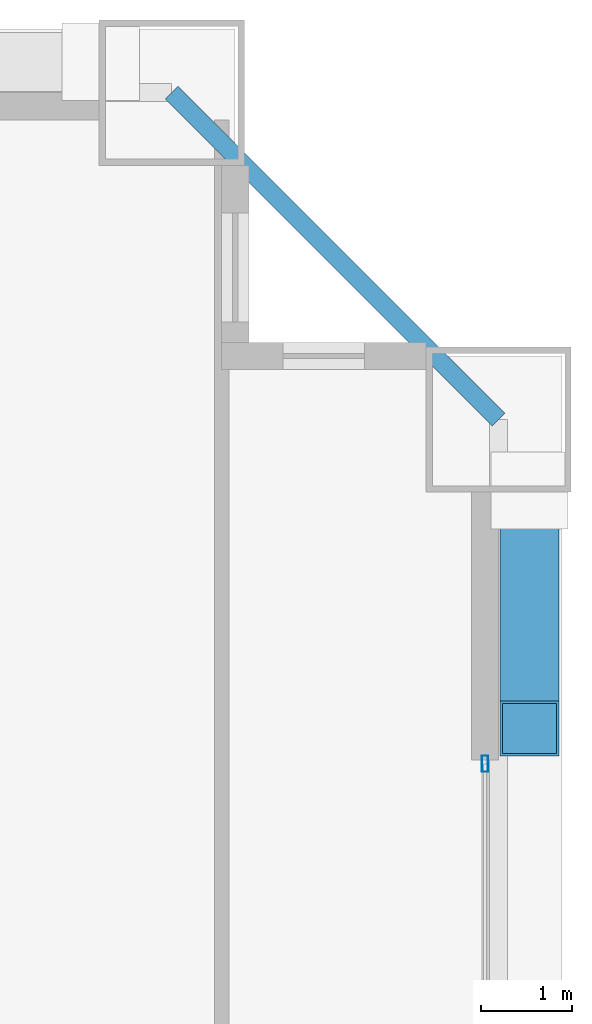
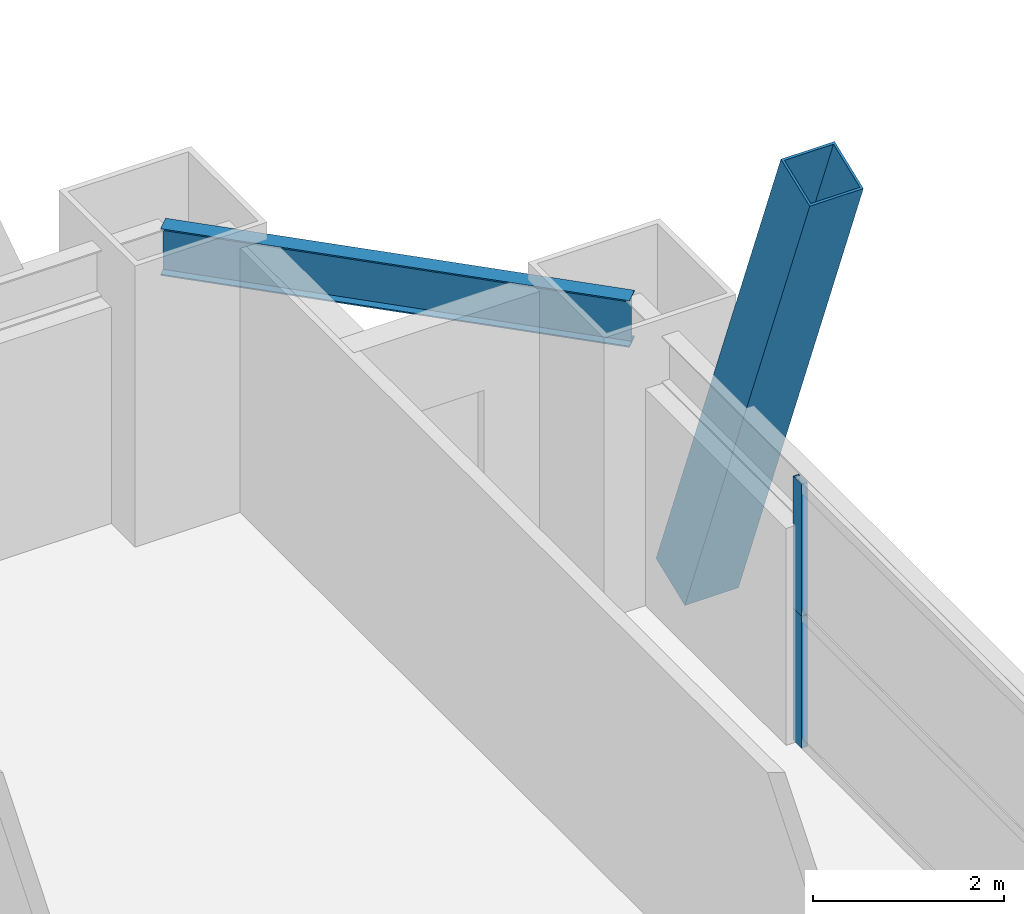
# One storey, part 34 of 43: 3 members, 1 beam, 1 element without a shape of its own.
"""IFC4 building model written with IfcOpenShell, lengths in metres."""

from ifc_helpers import new_model, si_unit, direction, frame, origin, origin_2d, place, context, subcontext, project, spatial, hollow_rectangle, i_section, extrude, source, transform, mapped, material, layer, layer_set, material_profile, profile_set, type_object, element, aggregate, save


model = new_model("IFC4")

# Units and contexts
model_context = context("Model", 3, precision=1e-05, world=origin(), true_north=direction((0.0, 1.0)))
body_context = subcontext(model_context, "Body", "Model", "MODEL_VIEW")
ifc_project = project(units=[si_unit("LENGTHUNIT", "METRE"), si_unit("AREAUNIT", "SQUARE_METRE"), si_unit("VOLUMEUNIT", "CUBIC_METRE"), si_unit("PLANEANGLEUNIT", "RADIAN"), si_unit("MASSUNIT", "GRAM", prefix="KILO"), si_unit("THERMODYNAMICTEMPERATUREUNIT", "KELVIN"), si_unit("POWERUNIT", "WATT")], contexts=[model_context])

# Site, building, storey
site_placement = place(None, origin())
site = spatial("IfcSite", under=ifc_project, at=site_placement, CompositionType="ELEMENT")
building_placement = place(site_placement, origin())
building = spatial("IfcBuilding", under=site, at=building_placement, Name="Yuzanri Waterfront Tower", CompositionType="ELEMENT")
storey_placement = place(building_placement, frame((0.0, 0.0, 138.0)))
storey = spatial("IfcBuildingStorey", under=building, at=storey_placement, Name="L36", CompositionType="ELEMENT", Elevation=138.0)

# Beam
ifc_material_1 = material(Name="Steel Q355B", Category="steel")
ifc_material_profile_1 = material_profile(ifc_material_1, i_section(OverallWidth=0.199951171875, OverallDepth=0.60009765625, WebThickness=0.010986328125, FlangeThickness=0.01708984375, at=origin_2d()), Name="HN 600x200x11x17")
ifc_profile_set_1 = profile_set([ifc_material_profile_1], Name="Steel Q355B")
beam_type = type_object("IfcBeamType", Name="Perimeter Spandrel Q355B HN 600x200", PredefinedType="SPANDREL", material=ifc_profile_set_1)
shared_shape_1 = source(origin(), body_context, "Body", "SweptSolid", [
    extrude(i_section(OverallWidth=0.199951171875, OverallDepth=0.60009765625, WebThickness=0.010986328125, FlangeThickness=0.01708984375, at=origin_2d()), origin(), (0.0, 0.0, 1.0), 5.091064453125),
])
beam_placement = place(storey_placement, frame((60.60009765625, 45.800048828125, 3.080078125), z_axis=(-0.707130757816, 0.707082803744, 0.0), x_axis=(-0.707082803744, -0.707130757816, 0.0)))
element("IfcBeam", 1, at=beam_placement, inside=storey, type_object=beam_type, Name="L36 Perimeter Spandrel E3-N3", PredefinedType="SPANDREL", context=body_context, shape_type="MappedRepresentation", body=[
    mapped(shared_shape_1, transform((0.0, 0.0, 0.0), scale=1.0)),
])

# Member
ifc_material_2 = material(Name="Steel Q420GJC", Category="steel")
ifc_material_profile_2 = material_profile(ifc_material_2, hollow_rectangle(XDim=0.64990234375, YDim=0.64990234375, WallThickness=0.028076171875, at=origin_2d()), Name="RHS 650x650x28")
ifc_profile_set_2 = profile_set([ifc_material_profile_2], Name="Steel Q420GJC")
member_type_1 = type_object("IfcMemberType", Name="Mega Brace Lower Q420GJC RHS 650x650x28", PredefinedType="BRACE", material=ifc_profile_set_2)
shared_shape_2 = source(origin(), body_context, "Body", "SweptSolid", [
    extrude(hollow_rectangle(XDim=0.64990234375, YDim=0.64990234375, WallThickness=0.028076171875, at=origin_2d()), origin(), (0.0, 0.0, 1.0), 7.194091796875),
])
member_1_placement = place(storey_placement, frame((60.93994140625, 45.02001953125, 0.179931640625), z_axis=(0.0, -0.36420612543, 0.931318365651), x_axis=(1.0, 0.0, 0.0)))
element("IfcMember", 2, at=member_1_placement, inside=storey, type_object=member_type_1, Name="L36-L37 Perimeter Mega-Brace E-R", PredefinedType="BRACE", context=body_context, shape_type="MappedRepresentation", body=[
    mapped(shared_shape_2, transform((0.0, 0.0, 0.0), scale=1.0)),
])

# Curtain wall, members
ifc_material_3 = material(Name="Anodized Architectural Bronze", Category="metal")
ifc_layer = layer(ifc_material_3, 0.159912109375)
ifc_layer_set = layer_set([ifc_layer], Name="Anodized Architectural Bronze")
curtain_wall_type = type_object("IfcCurtainWallType", Name="Anodized Bronze Hotel Upper-Tier Solar-Control Unitized Curtain Wall 7800", PredefinedType="NOTDEFINED", material=ifc_layer_set)
curtain_wall_placement = place(storey_placement, origin())
curtain_wall = element("IfcCurtainWall", 3, at=curtain_wall_placement, inside=storey, type_object=curtain_wall_type, Name="L36 Curtain Wall CW-L36-ER", PredefinedType="NOTDEFINED")
ifc_material_4 = material(Name="Anodized Architectural Bronze", Category="metal")
ifc_material_profile_3 = material_profile(ifc_material_4, hollow_rectangle(XDim=0.070068359375, YDim=0.179931640625, WallThickness=0.00390625, at=origin_2d()), Name="CWM 70x180")
ifc_profile_set_3 = profile_set([ifc_material_profile_3], Name="Anodized Architectural Bronze")
member_type_2 = type_object("IfcMemberType", Name="Anodized Bronze Standard Curtain-Wall Mullion 70x180", PredefinedType="MULLION", material=ifc_profile_set_3)
shared_shape_3 = source(origin(), body_context, "Body", "SweptSolid", [
    extrude(hollow_rectangle(XDim=0.070068359375, YDim=0.179931640625, WallThickness=0.00390625, at=origin_2d()), origin(), (0.0, 0.0, 1.0), 1.68798828125),
])
member_2_placement = place(storey_placement, frame((60.449951171875, 42.010009765625, 0.0), z_axis=(0.0, 0.0, 1.0), x_axis=(1.0, 0.0, 0.0)))
member_2 = element("IfcMember", 4, at=member_2_placement, type_object=member_type_2, Name="CW-L36-ER Lower Mullion 02", PredefinedType="MULLION", context=body_context, shape_type="MappedRepresentation", body=[
    mapped(shared_shape_3, transform((0.0, 0.0, 0.0), scale=1.0)),
])
member_3_placement = place(storey_placement, frame((60.449951171875, 42.010009765625, 1.69189453125), z_axis=(0.0, 0.0, 1.0), x_axis=(1.0, 0.0, 0.0)))
member_3 = element("IfcMember", 5, at=member_3_placement, type_object=member_type_2, Name="CW-L36-ER Upper Mullion 02", PredefinedType="MULLION", context=body_context, shape_type="MappedRepresentation", body=[
    mapped(shared_shape_3, transform((0.0, 0.0, 0.0), scale=1.0)),
])
aggregate(curtain_wall, [member_2, member_3])

save(model, "model.ifc")
